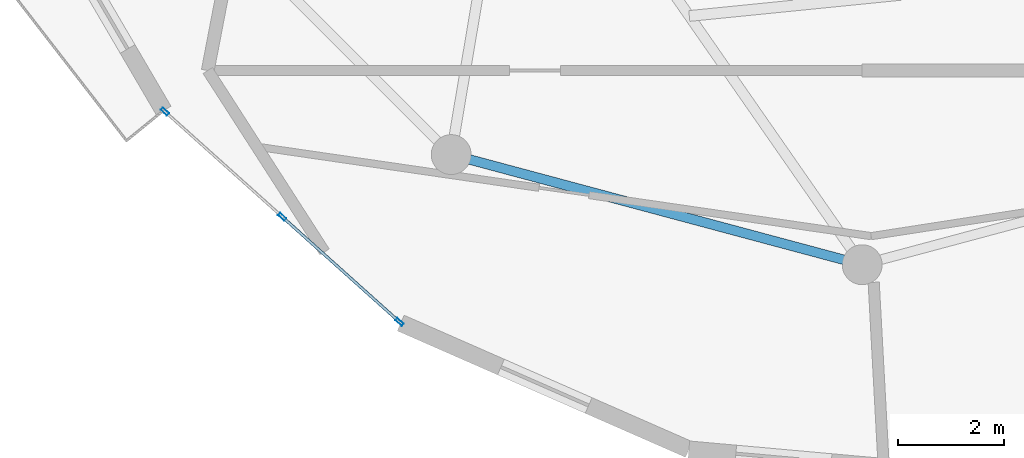
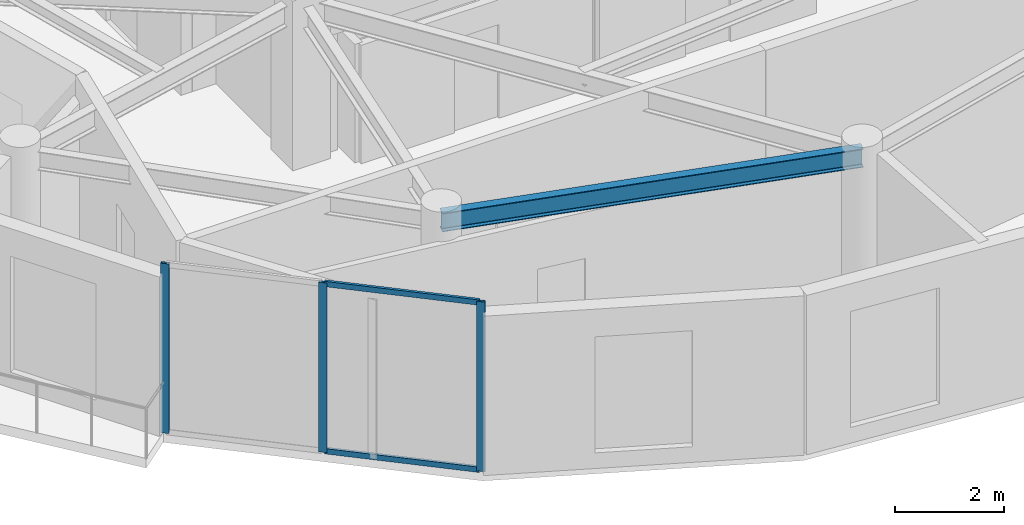
# One storey, part 2 of 19: 5 members, 1 beam, 1 element without a shape of its own.
"""IFC4 building model written with IfcOpenShell, lengths in metres."""

from ifc_helpers import new_model, si_unit, direction, frame, origin, origin_2d, place, context, subcontext, project, spatial, hollow_rectangle, i_section, extrude, source, transform, mapped, material, layer, layer_set, material_profile, profile_set, type_object, element, aggregate, save


model = new_model("IFC4")

# Units and contexts
model_context = context("Model", 3, precision=1e-05, world=origin(), true_north=direction((0.0, 1.0)))
body_context = subcontext(model_context, "Body", "Model", "MODEL_VIEW")
ifc_project = project(units=[si_unit("LENGTHUNIT", "METRE"), si_unit("AREAUNIT", "SQUARE_METRE"), si_unit("VOLUMEUNIT", "CUBIC_METRE"), si_unit("PLANEANGLEUNIT", "RADIAN"), si_unit("MASSUNIT", "GRAM", prefix="KILO")], contexts=[model_context])

# Site, building, storey
site_placement = place(None, origin())
site = spatial("IfcSite", under=ifc_project, at=site_placement, CompositionType="ELEMENT")
building_placement = place(site_placement, origin())
building = spatial("IfcBuilding", under=site, at=building_placement, Name="Solvirekh Grand Hotel", CompositionType="ELEMENT")
storey_placement = place(building_placement, frame((0.0, 0.0, 266.800048828125)))
storey = spatial("IfcBuildingStorey", under=building, at=storey_placement, Name="L69", CompositionType="ELEMENT", Elevation=266.800048828125)

# Beam
ifc_material_1 = material(Name="Steel S355", Category="steel")
ifc_material_profile_1 = material_profile(ifc_material_1, i_section(OverallWidth=0.180908203125, OverallDepth=0.4169921875, WebThickness=0.010009765625, FlangeThickness=0.01611328125, FilletRadius=0.011962890625, at=origin_2d()), Name="W410X85")
ifc_profile_set_1 = profile_set([ifc_material_profile_1], Name="Steel S355")
beam_type = type_object("IfcBeamType", Name="Spandrel_Ring_W410", PredefinedType="SPANDREL", material=ifc_profile_set_1)
beam_placement = place(storey_placement, frame((-7.72509765625, -13.3798828125, 3.36083984375), z_axis=(0.965921616143, -0.258834757072, 0.0), x_axis=(0.258834757072, 0.965921616143, 0.0)))
element("IfcBeam", 1, at=beam_placement, inside=storey, type_object=beam_type, Name="L69 perimeter spandrel beam 9", PredefinedType="SPANDREL", context=body_context, shape_type="SweptSolid", body=[
    extrude(i_section(OverallWidth=0.180908203125, OverallDepth=0.4169921875, WebThickness=0.010009765625, FlangeThickness=0.01611328125, FilletRadius=0.011962890625, at=origin_2d()), origin(), (0.0, 0.0, 1.0), 7.99755859375),
])

# Curtain wall, members
ifc_material_2 = material(Name="Anodized Bronze Aluminium 6063-T6", Category="aluminium")
ifc_layer = layer(ifc_material_2, 0.159912109375)
ifc_layer_set = layer_set([ifc_layer], Name="Anodized Bronze Aluminium 6063-T6")
curtain_wall_type = type_object("IfcCurtainWallType", Name="CW_Sys4_HighZoneFlushBronzeCW", PredefinedType="NOTDEFINED", material=ifc_layer_set)
curtain_wall_placement = place(storey_placement, origin())
curtain_wall = element("IfcCurtainWall", 2, at=curtain_wall_placement, inside=storey, type_object=curtain_wall_type, Name="L69 unitised bronze-glass curtain wall CW-L69-C18", PredefinedType="NOTDEFINED")
ifc_material_profile_2 = material_profile(ifc_material_2, hollow_rectangle(XDim=0.06005859375, YDim=0.159912109375, WallThickness=0.0048828125, at=origin_2d()), Name="ALU RHS 160X60X5")
ifc_profile_set_2 = profile_set([ifc_material_profile_2], Name="Anodized Bronze Aluminium 6063-T6")
member_type_1 = type_object("IfcMemberType", Name="CWMullion_Sys4", PredefinedType="MULLION", material=ifc_profile_set_2)
shared_shape_1 = source(origin(), body_context, "Body", "SweptSolid", [
    extrude(hollow_rectangle(XDim=0.06005859375, YDim=0.159912109375, WallThickness=0.0048828125, at=origin_2d()), origin(), (0.0, 0.0, 1.0), 3.800048828125),
])
member_1_placement = place(storey_placement, frame((-13.107666015625, -12.572021484375, 0.0), z_axis=(0.0, 0.0, 1.0), x_axis=(0.667541821452, 0.744572304489, 0.0)))
member_1 = element("IfcMember", 3, at=member_1_placement, type_object=member_type_1, Name="U04 mullion 1", PredefinedType="MULLION", context=body_context, shape_type="MappedRepresentation", body=[
    mapped(shared_shape_1, transform((0.0, 0.0, 0.0), x_axis=(1.0, 0.0, 0.0), y_axis=(0.0, 1.0, 0.0), z_axis=(0.0, 0.0, 1.0), scale=1.0)),
])
member_2_placement = place(storey_placement, frame((-10.902099609375, -14.549560546875, 0.0), z_axis=(0.0, 0.0, 1.0), x_axis=(0.667541821452, 0.744572304489, 0.0)))
member_2 = element("IfcMember", 4, at=member_2_placement, type_object=member_type_1, Name="U04 mullion 2", PredefinedType="MULLION", context=body_context, shape_type="MappedRepresentation", body=[
    mapped(shared_shape_1, transform((0.0, 0.0, 0.0), x_axis=(1.0, 0.0, 0.0), y_axis=(0.0, 1.0, 0.0), z_axis=(0.0, 0.0, 1.0), scale=1.0)),
])
member_3_placement = place(storey_placement, frame((-8.6962890625, -16.52685546875, 0.0), z_axis=(0.0, 0.0, 1.0), x_axis=(0.667541821452, 0.744572304489, 0.0)))
member_3 = element("IfcMember", 5, at=member_3_placement, type_object=member_type_1, Name="U04 mullion 3", PredefinedType="MULLION", context=body_context, shape_type="MappedRepresentation", body=[
    mapped(shared_shape_1, transform((0.0, 0.0, 0.0), x_axis=(1.0, 0.0, 0.0), y_axis=(0.0, 1.0, 0.0), z_axis=(0.0, 0.0, 1.0), scale=1.0)),
])
ifc_material_profile_3 = material_profile(ifc_material_2, hollow_rectangle(XDim=0.054931640625, YDim=0.1201171875, WallThickness=0.00390625, at=origin_2d()), Name="ALU RHS 120X55X4")
ifc_profile_set_3 = profile_set([ifc_material_profile_3], Name="Anodized Bronze Aluminium 6063-T6")
member_type_2 = type_object("IfcMemberType", Name="CWTransom_Sys4", PredefinedType="USERDEFINED", material=ifc_profile_set_3)
shared_shape_2 = source(origin(), body_context, "Body", "SweptSolid", [
    extrude(hollow_rectangle(XDim=0.054931640625, YDim=0.1201171875, WallThickness=0.00390625, at=origin_2d()), origin(), (0.0, 0.0, 1.0), 2.902099609375),
])
member_4_placement = place(storey_placement, frame((-10.879638671875, -14.569580078125, 0.02734375), z_axis=(0.744585300414, -0.667527325589, 0.0), x_axis=(0.667527325589, 0.744585300414, 0.0)))
member_4 = element("IfcMember", 6, at=member_4_placement, type_object=member_type_2, Name="U04 transom 2.1", ObjectType="TRANSOM", PredefinedType="USERDEFINED", context=body_context, shape_type="MappedRepresentation", body=[
    mapped(shared_shape_2, transform((0.0, 0.0, 0.0), x_axis=(1.0, 0.0, 0.0), y_axis=(0.0, 1.0, 0.0), z_axis=(0.0, 0.0, 1.0), scale=1.0)),
])
member_5_placement = place(storey_placement, frame((-10.879638671875, -14.569580078125, 3.7724609375), z_axis=(0.744585300414, -0.667527325589, 0.0), x_axis=(0.667527325589, 0.744585300414, 0.0)))
member_5 = element("IfcMember", 7, at=member_5_placement, type_object=member_type_2, Name="U04 transom 2.2", ObjectType="TRANSOM", PredefinedType="USERDEFINED", context=body_context, shape_type="MappedRepresentation", body=[
    mapped(shared_shape_2, transform((0.0, 0.0, 0.0), x_axis=(1.0, 0.0, 0.0), y_axis=(0.0, 1.0, 0.0), z_axis=(0.0, 0.0, 1.0), scale=1.0)),
])
aggregate(curtain_wall, [member_1, member_2, member_3, member_4, member_5])

save(model, "model.ifc")
